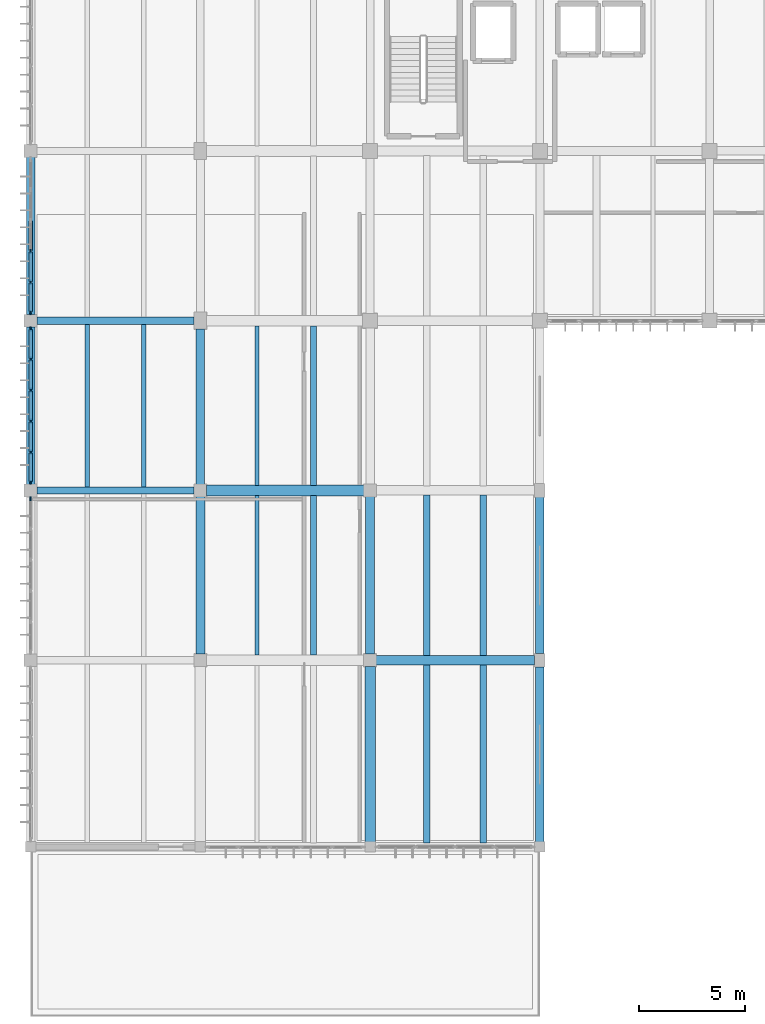
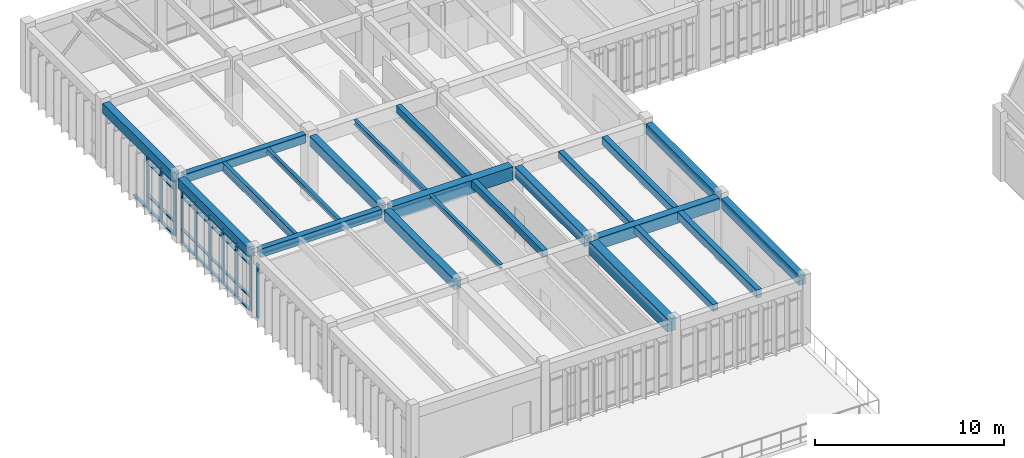
# One storey, part 6 of 72: 39 members, 22 beams, 3 elements without a shape of their own.
"""IFC4 building model written with IfcOpenShell, lengths in metres."""

from ifc_helpers import new_model, si_unit, direction, frame, origin, origin_2d, place, context, subcontext, project, spatial, rectangle, i_section, extrude, material, material_profile, profile_set, type_object, element, aggregate, save


model = new_model("IFC4")

# Units and contexts
model_context = context("Model", 3, precision=1e-05, world=origin(), true_north=direction((0.0, 1.0)))
body_context = subcontext(model_context, "Body", "Model", "MODEL_VIEW")
ifc_project = project(units=[si_unit("LENGTHUNIT", "METRE"), si_unit("AREAUNIT", "SQUARE_METRE"), si_unit("VOLUMEUNIT", "CUBIC_METRE"), si_unit("PLANEANGLEUNIT", "RADIAN"), si_unit("MASSUNIT", "GRAM", prefix="KILO")], contexts=[model_context])

# Site, building, storey
site_placement = place(None, origin())
site = spatial("IfcSite", under=ifc_project, at=site_placement, CompositionType="ELEMENT")
building_placement = place(site_placement, origin())
building = spatial("IfcBuilding", under=site, at=building_placement, Name="Tlaxcora Railside Police Headquarters", CompositionType="ELEMENT")
storey_placement = place(building_placement, frame((0.0, 0.0, 13.5)))
storey = spatial("IfcBuildingStorey", under=building, at=storey_placement, Name="L03", CompositionType="ELEMENT", Elevation=13.5)

# Curtain wall, members
ifc_material_1 = material(Name="Thermally broken low-E insulated glazing", Category="glass")
curtain_wall_type_1 = type_object("IfcCurtainWallType", Name="Unitised Curtain Wall Assembly CW-23", PredefinedType="NOTDEFINED", material=ifc_material_1)
curtain_wall_1_placement = place(storey_placement, origin())
curtain_wall_1 = element("IfcCurtainWall", 1, at=curtain_wall_1_placement, inside=storey, type_object=curtain_wall_type_1, Name="V5 L03 curtain wall 84", PredefinedType="NOTDEFINED")
ifc_material_2 = material(Name="Anodised aluminium framing", Category="aluminium")
ifc_material_profile_1 = material_profile(ifc_material_2, rectangle(XDim=0.080078125, YDim=0.219970703125, at=origin_2d()), Name="AL80X220")
ifc_profile_set_1 = profile_set([ifc_material_profile_1], Name="Anodised aluminium framing")
member_type_1 = type_object("IfcMemberType", Name="Curtain Wall Mullion CW-31", PredefinedType="MULLION", material=ifc_profile_set_1)
member_1_placement = place(storey_placement, frame((5.199951171875, 80.070068359375, 0.0), z_axis=(0.0, 0.0, 1.0), x_axis=(1.0, 0.0, 0.0)))
member_1 = element("IfcMember", 2, at=member_1_placement, type_object=member_type_1, Name="CW mullion 4", PredefinedType="MULLION", context=body_context, shape_type="SweptSolid", body=[
    extrude(rectangle(XDim=0.080078125, YDim=0.219970703125, at=origin_2d()), origin(), (0.0, 0.0, 1.0), 3.52001953125),
])
member_2_placement = place(storey_placement, frame((5.199951171875, 78.610107421875, 0.0), z_axis=(0.0, 0.0, 1.0), x_axis=(1.0, 0.0, 0.0)))
member_2 = element("IfcMember", 3, at=member_2_placement, type_object=member_type_1, Name="CW mullion 5", PredefinedType="MULLION", context=body_context, shape_type="SweptSolid", body=[
    extrude(rectangle(XDim=0.080078125, YDim=0.219970703125, at=origin_2d()), origin(), (0.0, 0.0, 1.0), 3.52001953125),
])
member_3_placement = place(storey_placement, frame((5.199951171875, 77.18994140625, 0.0), z_axis=(0.0, 0.0, 1.0), x_axis=(1.0, 0.0, 0.0)))
member_3 = element("IfcMember", 4, at=member_3_placement, type_object=member_type_1, Name="CW mullion 6", PredefinedType="MULLION", context=body_context, shape_type="SweptSolid", body=[
    extrude(rectangle(XDim=0.080078125, YDim=0.219970703125, at=origin_2d()), origin(), (0.0, 0.0, 1.0), 3.52001953125),
])

curtain_wall_type_2 = type_object("IfcCurtainWallType", Name="Unitised Curtain Wall Assembly CW-38", PredefinedType="NOTDEFINED", material=ifc_material_1)
curtain_wall_2_placement = place(storey_placement, origin())
curtain_wall_2 = element("IfcCurtainWall", 5, at=curtain_wall_2_placement, inside=storey, type_object=curtain_wall_type_2, Name="V5 L03 curtain wall 85", PredefinedType="NOTDEFINED")
ifc_material_profile_2 = material_profile(ifc_material_2, rectangle(XDim=0.074951171875, YDim=0.205078125, at=origin_2d()), Name="AL75X205")
ifc_profile_set_2 = profile_set([ifc_material_profile_2], Name="Anodised aluminium framing")
member_type_2 = type_object("IfcMemberType", Name="Curtain Wall Mullion CW-32", PredefinedType="MULLION", material=ifc_profile_set_2)
member_4_placement = place(storey_placement, frame((5.199951171875, 76.41259765625, 0.0), z_axis=(0.0, 0.0, 1.0), x_axis=(1.0, 0.0, 0.0)))
member_4 = element("IfcMember", 6, at=member_4_placement, type_object=member_type_2, Name="CW mullion 1", PredefinedType="MULLION", context=body_context, shape_type="SweptSolid", body=[
    extrude(rectangle(XDim=0.074951171875, YDim=0.205078125, at=origin_2d()), origin(), (0.0, 0.0, 1.0), 3.52001953125),
])
member_5_placement = place(storey_placement, frame((5.199951171875, 74.989990234375, 0.0), z_axis=(0.0, 0.0, 1.0), x_axis=(1.0, 0.0, 0.0)))
member_5 = element("IfcMember", 7, at=member_5_placement, type_object=member_type_2, Name="CW mullion 2", PredefinedType="MULLION", context=body_context, shape_type="SweptSolid", body=[
    extrude(rectangle(XDim=0.074951171875, YDim=0.205078125, at=origin_2d()), origin(), (0.0, 0.0, 1.0), 3.52001953125),
])
member_6_placement = place(storey_placement, frame((5.199951171875, 73.530029296875, 0.0), z_axis=(0.0, 0.0, 1.0), x_axis=(1.0, 0.0, 0.0)))
member_6 = element("IfcMember", 8, at=member_6_placement, type_object=member_type_2, Name="CW mullion 3", PredefinedType="MULLION", context=body_context, shape_type="SweptSolid", body=[
    extrude(rectangle(XDim=0.074951171875, YDim=0.205078125, at=origin_2d()), origin(), (0.0, 0.0, 1.0), 3.52001953125),
])
member_7_placement = place(storey_placement, frame((5.199951171875, 72.070068359375, 0.0), z_axis=(0.0, 0.0, 1.0), x_axis=(1.0, 0.0, 0.0)))
member_7 = element("IfcMember", 9, at=member_7_placement, type_object=member_type_2, Name="CW mullion 4", PredefinedType="MULLION", context=body_context, shape_type="SweptSolid", body=[
    extrude(rectangle(XDim=0.074951171875, YDim=0.205078125, at=origin_2d()), origin(), (0.0, 0.0, 1.0), 3.52001953125),
])
member_8_placement = place(storey_placement, frame((5.199951171875, 70.610107421875, 0.0), z_axis=(0.0, 0.0, 1.0), x_axis=(1.0, 0.0, 0.0)))
member_8 = element("IfcMember", 10, at=member_8_placement, type_object=member_type_2, Name="CW mullion 5", PredefinedType="MULLION", context=body_context, shape_type="SweptSolid", body=[
    extrude(rectangle(XDim=0.074951171875, YDim=0.205078125, at=origin_2d()), origin(), (0.0, 0.0, 1.0), 3.52001953125),
])
member_9_placement = place(storey_placement, frame((5.199951171875, 69.1875, 0.0), z_axis=(0.0, 0.0, 1.0), x_axis=(1.0, 0.0, 0.0)))
member_9 = element("IfcMember", 11, at=member_9_placement, type_object=member_type_2, Name="CW mullion 6", PredefinedType="MULLION", context=body_context, shape_type="SweptSolid", body=[
    extrude(rectangle(XDim=0.074951171875, YDim=0.205078125, at=origin_2d()), origin(), (0.0, 0.0, 1.0), 3.52001953125),
])

# Curtain wall, member
curtain_wall_type_3 = type_object("IfcCurtainWallType", Name="Unitised Curtain Wall Assembly CW-15", PredefinedType="NOTDEFINED", material=ifc_material_1)
curtain_wall_3_placement = place(storey_placement, origin())
curtain_wall_3 = element("IfcCurtainWall", 12, at=curtain_wall_3_placement, inside=storey, type_object=curtain_wall_type_3, Name="V5 L03 curtain wall 86", PredefinedType="NOTDEFINED")
ifc_material_profile_3 = material_profile(ifc_material_2, rectangle(XDim=0.074951171875, YDim=0.199951171875, at=origin_2d()), Name="AL75X200")
ifc_profile_set_3 = profile_set([ifc_material_profile_3], Name="Anodised aluminium framing")
member_type_3 = type_object("IfcMemberType", Name="Curtain Wall Mullion CW-58", PredefinedType="MULLION", material=ifc_profile_set_3)
member_10_placement = place(storey_placement, frame((5.199951171875, 68.41259765625, 0.0), z_axis=(0.0, 0.0, 1.0), x_axis=(1.0, 0.0, 0.0)))
member_10 = element("IfcMember", 13, at=member_10_placement, type_object=member_type_3, Name="CW mullion 1", PredefinedType="MULLION", context=body_context, shape_type="SweptSolid", body=[
    extrude(rectangle(XDim=0.074951171875, YDim=0.199951171875, at=origin_2d()), origin(), (0.0, 0.0, 1.0), 3.52001953125),
])
aggregate(curtain_wall_3, [member_10])

# Member
ifc_material_profile_4 = material_profile(ifc_material_2, rectangle(XDim=0.155029296875, YDim=0.074951171875, at=origin_2d()), Name="AL75X155")
ifc_profile_set_4 = profile_set([ifc_material_profile_4], Name="Anodised aluminium framing")
member_type_4 = type_object("IfcMemberType", Name="Curtain Wall Transom CW-30", PredefinedType="USERDEFINED", material=ifc_profile_set_4)
member_11_placement = place(storey_placement, frame((5.199951171875, 76.375, 0.03759765625), z_axis=(0.0, -1.0, 0.0), x_axis=(1.0, 0.0, 0.0)))
member_11 = element("IfcMember", 14, at=member_11_placement, type_object=member_type_4, Name="CW transom 1.1", ObjectType="TRANSOM", PredefinedType="USERDEFINED", context=body_context, shape_type="SweptSolid", body=[
    extrude(rectangle(XDim=0.155029296875, YDim=0.074951171875, at=origin_2d()), origin(), (0.0, 0.0, 1.0), 1.347412109375),
])

member_12_placement = place(storey_placement, frame((5.199951171875, 76.375, 0.89990234375), z_axis=(0.0, -1.0, 0.0), x_axis=(1.0, 0.0, 0.0)))
member_12 = element("IfcMember", 15, at=member_12_placement, type_object=member_type_4, Name="CW transom 1.2", ObjectType="TRANSOM", PredefinedType="USERDEFINED", context=body_context, shape_type="SweptSolid", body=[
    extrude(rectangle(XDim=0.155029296875, YDim=0.074951171875, at=origin_2d()), origin(), (0.0, 0.0, 1.0), 1.347412109375),
])

member_13_placement = place(storey_placement, frame((5.199951171875, 76.375, 2.989990234375), z_axis=(0.0, -1.0, 0.0), x_axis=(1.0, 0.0, 0.0)))
member_13 = element("IfcMember", 16, at=member_13_placement, type_object=member_type_4, Name="CW transom 1.3", ObjectType="TRANSOM", PredefinedType="USERDEFINED", context=body_context, shape_type="SweptSolid", body=[
    extrude(rectangle(XDim=0.155029296875, YDim=0.074951171875, at=origin_2d()), origin(), (0.0, 0.0, 1.0), 1.347412109375),
])

member_14_placement = place(storey_placement, frame((5.199951171875, 76.375, 3.482421875), z_axis=(0.0, -1.0, 0.0), x_axis=(1.0, 0.0, 0.0)))
member_14 = element("IfcMember", 17, at=member_14_placement, type_object=member_type_4, Name="CW transom 1.4", ObjectType="TRANSOM", PredefinedType="USERDEFINED", context=body_context, shape_type="SweptSolid", body=[
    extrude(rectangle(XDim=0.155029296875, YDim=0.074951171875, at=origin_2d()), origin(), (0.0, 0.0, 1.0), 1.347412109375),
])

member_15_placement = place(storey_placement, frame((5.199951171875, 74.952392578125, 0.03759765625), z_axis=(0.0, -1.0, 0.0), x_axis=(1.0, 0.0, 0.0)))
member_15 = element("IfcMember", 18, at=member_15_placement, type_object=member_type_4, Name="CW transom 2.1", ObjectType="TRANSOM", PredefinedType="USERDEFINED", context=body_context, shape_type="SweptSolid", body=[
    extrude(rectangle(XDim=0.155029296875, YDim=0.074951171875, at=origin_2d()), origin(), (0.0, 0.0, 1.0), 1.385009765625),
])

member_16_placement = place(storey_placement, frame((5.199951171875, 74.952392578125, 0.89990234375), z_axis=(0.0, -1.0, 0.0), x_axis=(1.0, 0.0, 0.0)))
member_16 = element("IfcMember", 19, at=member_16_placement, type_object=member_type_4, Name="CW transom 2.2", ObjectType="TRANSOM", PredefinedType="USERDEFINED", context=body_context, shape_type="SweptSolid", body=[
    extrude(rectangle(XDim=0.155029296875, YDim=0.074951171875, at=origin_2d()), origin(), (0.0, 0.0, 1.0), 1.385009765625),
])

member_17_placement = place(storey_placement, frame((5.199951171875, 74.952392578125, 2.989990234375), z_axis=(0.0, -1.0, 0.0), x_axis=(1.0, 0.0, 0.0)))
member_17 = element("IfcMember", 20, at=member_17_placement, type_object=member_type_4, Name="CW transom 2.3", ObjectType="TRANSOM", PredefinedType="USERDEFINED", context=body_context, shape_type="SweptSolid", body=[
    extrude(rectangle(XDim=0.155029296875, YDim=0.074951171875, at=origin_2d()), origin(), (0.0, 0.0, 1.0), 1.385009765625),
])

member_18_placement = place(storey_placement, frame((5.199951171875, 74.952392578125, 3.482421875), z_axis=(0.0, -1.0, 0.0), x_axis=(1.0, 0.0, 0.0)))
member_18 = element("IfcMember", 21, at=member_18_placement, type_object=member_type_4, Name="CW transom 2.4", ObjectType="TRANSOM", PredefinedType="USERDEFINED", context=body_context, shape_type="SweptSolid", body=[
    extrude(rectangle(XDim=0.155029296875, YDim=0.074951171875, at=origin_2d()), origin(), (0.0, 0.0, 1.0), 1.385009765625),
])

member_19_placement = place(storey_placement, frame((5.199951171875, 73.492431640625, 0.03759765625), z_axis=(0.0, -1.0, 0.0), x_axis=(1.0, 0.0, 0.0)))
member_19 = element("IfcMember", 22, at=member_19_placement, type_object=member_type_4, Name="CW transom 3.1", ObjectType="TRANSOM", PredefinedType="USERDEFINED", context=body_context, shape_type="SweptSolid", body=[
    extrude(rectangle(XDim=0.155029296875, YDim=0.074951171875, at=origin_2d()), origin(), (0.0, 0.0, 1.0), 1.385009765625),
])

member_20_placement = place(storey_placement, frame((5.199951171875, 73.492431640625, 0.89990234375), z_axis=(0.0, -1.0, 0.0), x_axis=(1.0, 0.0, 0.0)))
member_20 = element("IfcMember", 23, at=member_20_placement, type_object=member_type_4, Name="CW transom 3.2", ObjectType="TRANSOM", PredefinedType="USERDEFINED", context=body_context, shape_type="SweptSolid", body=[
    extrude(rectangle(XDim=0.155029296875, YDim=0.074951171875, at=origin_2d()), origin(), (0.0, 0.0, 1.0), 1.385009765625),
])

member_21_placement = place(storey_placement, frame((5.199951171875, 73.492431640625, 2.989990234375), z_axis=(0.0, -1.0, 0.0), x_axis=(1.0, 0.0, 0.0)))
member_21 = element("IfcMember", 24, at=member_21_placement, type_object=member_type_4, Name="CW transom 3.3", ObjectType="TRANSOM", PredefinedType="USERDEFINED", context=body_context, shape_type="SweptSolid", body=[
    extrude(rectangle(XDim=0.155029296875, YDim=0.074951171875, at=origin_2d()), origin(), (0.0, 0.0, 1.0), 1.385009765625),
])

member_22_placement = place(storey_placement, frame((5.199951171875, 73.492431640625, 3.482421875), z_axis=(0.0, -1.0, 0.0), x_axis=(1.0, 0.0, 0.0)))
member_22 = element("IfcMember", 25, at=member_22_placement, type_object=member_type_4, Name="CW transom 3.4", ObjectType="TRANSOM", PredefinedType="USERDEFINED", context=body_context, shape_type="SweptSolid", body=[
    extrude(rectangle(XDim=0.155029296875, YDim=0.074951171875, at=origin_2d()), origin(), (0.0, 0.0, 1.0), 1.385009765625),
])

member_23_placement = place(storey_placement, frame((5.199951171875, 72.032470703125, 0.03759765625), z_axis=(0.0, -1.0, 0.0), x_axis=(1.0, 0.0, 0.0)))
member_23 = element("IfcMember", 26, at=member_23_placement, type_object=member_type_4, Name="CW transom 4.1", ObjectType="TRANSOM", PredefinedType="USERDEFINED", context=body_context, shape_type="SweptSolid", body=[
    extrude(rectangle(XDim=0.155029296875, YDim=0.074951171875, at=origin_2d()), origin(), (0.0, 0.0, 1.0), 1.385009765625),
])

member_24_placement = place(storey_placement, frame((5.199951171875, 72.032470703125, 0.89990234375), z_axis=(0.0, -1.0, 0.0), x_axis=(1.0, 0.0, 0.0)))
member_24 = element("IfcMember", 27, at=member_24_placement, type_object=member_type_4, Name="CW transom 4.2", ObjectType="TRANSOM", PredefinedType="USERDEFINED", context=body_context, shape_type="SweptSolid", body=[
    extrude(rectangle(XDim=0.155029296875, YDim=0.074951171875, at=origin_2d()), origin(), (0.0, 0.0, 1.0), 1.385009765625),
])

member_25_placement = place(storey_placement, frame((5.199951171875, 72.032470703125, 2.989990234375), z_axis=(0.0, -1.0, 0.0), x_axis=(1.0, 0.0, 0.0)))
member_25 = element("IfcMember", 28, at=member_25_placement, type_object=member_type_4, Name="CW transom 4.3", ObjectType="TRANSOM", PredefinedType="USERDEFINED", context=body_context, shape_type="SweptSolid", body=[
    extrude(rectangle(XDim=0.155029296875, YDim=0.074951171875, at=origin_2d()), origin(), (0.0, 0.0, 1.0), 1.385009765625),
])

member_26_placement = place(storey_placement, frame((5.199951171875, 72.032470703125, 3.482421875), z_axis=(0.0, -1.0, 0.0), x_axis=(1.0, 0.0, 0.0)))
member_26 = element("IfcMember", 29, at=member_26_placement, type_object=member_type_4, Name="CW transom 4.4", ObjectType="TRANSOM", PredefinedType="USERDEFINED", context=body_context, shape_type="SweptSolid", body=[
    extrude(rectangle(XDim=0.155029296875, YDim=0.074951171875, at=origin_2d()), origin(), (0.0, 0.0, 1.0), 1.385009765625),
])

member_27_placement = place(storey_placement, frame((5.199951171875, 70.572509765625, 0.03759765625), z_axis=(0.0, -1.0, 0.0), x_axis=(1.0, 0.0, 0.0)))
member_27 = element("IfcMember", 30, at=member_27_placement, type_object=member_type_4, Name="CW transom 5.1", ObjectType="TRANSOM", PredefinedType="USERDEFINED", context=body_context, shape_type="SweptSolid", body=[
    extrude(rectangle(XDim=0.155029296875, YDim=0.074951171875, at=origin_2d()), origin(), (0.0, 0.0, 1.0), 1.347412109375),
])

member_28_placement = place(storey_placement, frame((5.199951171875, 70.572509765625, 0.89990234375), z_axis=(0.0, -1.0, 0.0), x_axis=(1.0, 0.0, 0.0)))
member_28 = element("IfcMember", 31, at=member_28_placement, type_object=member_type_4, Name="CW transom 5.2", ObjectType="TRANSOM", PredefinedType="USERDEFINED", context=body_context, shape_type="SweptSolid", body=[
    extrude(rectangle(XDim=0.155029296875, YDim=0.074951171875, at=origin_2d()), origin(), (0.0, 0.0, 1.0), 1.347412109375),
])

member_29_placement = place(storey_placement, frame((5.199951171875, 70.572509765625, 2.989990234375), z_axis=(0.0, -1.0, 0.0), x_axis=(1.0, 0.0, 0.0)))
member_29 = element("IfcMember", 32, at=member_29_placement, type_object=member_type_4, Name="CW transom 5.3", ObjectType="TRANSOM", PredefinedType="USERDEFINED", context=body_context, shape_type="SweptSolid", body=[
    extrude(rectangle(XDim=0.155029296875, YDim=0.074951171875, at=origin_2d()), origin(), (0.0, 0.0, 1.0), 1.347412109375),
])

member_30_placement = place(storey_placement, frame((5.199951171875, 70.572509765625, 3.482421875), z_axis=(0.0, -1.0, 0.0), x_axis=(1.0, 0.0, 0.0)))
member_30 = element("IfcMember", 33, at=member_30_placement, type_object=member_type_4, Name="CW transom 5.4", ObjectType="TRANSOM", PredefinedType="USERDEFINED", context=body_context, shape_type="SweptSolid", body=[
    extrude(rectangle(XDim=0.155029296875, YDim=0.074951171875, at=origin_2d()), origin(), (0.0, 0.0, 1.0), 1.347412109375),
])

aggregate(curtain_wall_2, [member_4, member_5, member_6, member_7, member_8, member_9, member_11, member_12, member_13, member_14, member_15, member_16, member_17, member_18, member_19, member_20, member_21, member_22, member_23, member_24, member_25, member_26, member_27, member_28, member_29, member_30])

ifc_material_profile_5 = material_profile(ifc_material_2, rectangle(XDim=0.1650390625, YDim=0.080078125, at=origin_2d()), Name="AL80X165")
ifc_profile_set_5 = profile_set([ifc_material_profile_5], Name="Anodised aluminium framing")
member_type_5 = type_object("IfcMemberType", Name="Curtain Wall Transom CW-62", PredefinedType="USERDEFINED", material=ifc_profile_set_5)
member_31_placement = place(storey_placement, frame((5.199951171875, 81.489990234375, 0.0400390625), z_axis=(0.0, -1.0, 0.0), x_axis=(1.0, 0.0, 0.0)))
member_31 = element("IfcMember", 34, at=member_31_placement, type_object=member_type_5, Name="CW transom 3.1", ObjectType="TRANSOM", PredefinedType="USERDEFINED", context=body_context, shape_type="SweptSolid", body=[
    extrude(rectangle(XDim=0.1650390625, YDim=0.080078125, at=origin_2d()), origin(), (0.0, 0.0, 1.0), 1.3798828125),
])

member_32_placement = place(storey_placement, frame((5.199951171875, 80.030029296875, 0.0400390625), z_axis=(0.0, -1.0, 0.0), x_axis=(1.0, 0.0, 0.0)))
member_32 = element("IfcMember", 35, at=member_32_placement, type_object=member_type_5, Name="CW transom 4.1", ObjectType="TRANSOM", PredefinedType="USERDEFINED", context=body_context, shape_type="SweptSolid", body=[
    extrude(rectangle(XDim=0.1650390625, YDim=0.080078125, at=origin_2d()), origin(), (0.0, 0.0, 1.0), 1.380126953125),
])

member_33_placement = place(storey_placement, frame((5.199951171875, 80.030029296875, 0.89990234375), z_axis=(0.0, -1.0, 0.0), x_axis=(1.0, 0.0, 0.0)))
member_33 = element("IfcMember", 36, at=member_33_placement, type_object=member_type_5, Name="CW transom 4.2", ObjectType="TRANSOM", PredefinedType="USERDEFINED", context=body_context, shape_type="SweptSolid", body=[
    extrude(rectangle(XDim=0.1650390625, YDim=0.080078125, at=origin_2d()), origin(), (0.0, 0.0, 1.0), 1.380126953125),
])

member_34_placement = place(storey_placement, frame((5.199951171875, 80.030029296875, 2.989990234375), z_axis=(0.0, -1.0, 0.0), x_axis=(1.0, 0.0, 0.0)))
member_34 = element("IfcMember", 37, at=member_34_placement, type_object=member_type_5, Name="CW transom 4.3", ObjectType="TRANSOM", PredefinedType="USERDEFINED", context=body_context, shape_type="SweptSolid", body=[
    extrude(rectangle(XDim=0.1650390625, YDim=0.080078125, at=origin_2d()), origin(), (0.0, 0.0, 1.0), 1.380126953125),
])

member_35_placement = place(storey_placement, frame((5.199951171875, 80.030029296875, 3.47998046875), z_axis=(0.0, -1.0, 0.0), x_axis=(1.0, 0.0, 0.0)))
member_35 = element("IfcMember", 38, at=member_35_placement, type_object=member_type_5, Name="CW transom 4.4", ObjectType="TRANSOM", PredefinedType="USERDEFINED", context=body_context, shape_type="SweptSolid", body=[
    extrude(rectangle(XDim=0.1650390625, YDim=0.080078125, at=origin_2d()), origin(), (0.0, 0.0, 1.0), 1.380126953125),
])

member_36_placement = place(storey_placement, frame((5.199951171875, 78.570068359375, 0.0400390625), z_axis=(0.0, -1.0, 0.0), x_axis=(1.0, 0.0, 0.0)))
member_36 = element("IfcMember", 39, at=member_36_placement, type_object=member_type_5, Name="CW transom 5.1", ObjectType="TRANSOM", PredefinedType="USERDEFINED", context=body_context, shape_type="SweptSolid", body=[
    extrude(rectangle(XDim=0.1650390625, YDim=0.080078125, at=origin_2d()), origin(), (0.0, 0.0, 1.0), 1.340087890625),
])

member_37_placement = place(storey_placement, frame((5.199951171875, 78.570068359375, 0.89990234375), z_axis=(0.0, -1.0, 0.0), x_axis=(1.0, 0.0, 0.0)))
member_37 = element("IfcMember", 40, at=member_37_placement, type_object=member_type_5, Name="CW transom 5.2", ObjectType="TRANSOM", PredefinedType="USERDEFINED", context=body_context, shape_type="SweptSolid", body=[
    extrude(rectangle(XDim=0.1650390625, YDim=0.080078125, at=origin_2d()), origin(), (0.0, 0.0, 1.0), 1.340087890625),
])

member_38_placement = place(storey_placement, frame((5.199951171875, 78.570068359375, 2.989990234375), z_axis=(0.0, -1.0, 0.0), x_axis=(1.0, 0.0, 0.0)))
member_38 = element("IfcMember", 41, at=member_38_placement, type_object=member_type_5, Name="CW transom 5.3", ObjectType="TRANSOM", PredefinedType="USERDEFINED", context=body_context, shape_type="SweptSolid", body=[
    extrude(rectangle(XDim=0.1650390625, YDim=0.080078125, at=origin_2d()), origin(), (0.0, 0.0, 1.0), 1.340087890625),
])

member_39_placement = place(storey_placement, frame((5.199951171875, 78.570068359375, 3.47998046875), z_axis=(0.0, -1.0, 0.0), x_axis=(1.0, 0.0, 0.0)))
member_39 = element("IfcMember", 42, at=member_39_placement, type_object=member_type_5, Name="CW transom 5.4", ObjectType="TRANSOM", PredefinedType="USERDEFINED", context=body_context, shape_type="SweptSolid", body=[
    extrude(rectangle(XDim=0.1650390625, YDim=0.080078125, at=origin_2d()), origin(), (0.0, 0.0, 1.0), 1.340087890625),
])

aggregate(curtain_wall_1, [member_1, member_2, member_3, member_31, member_32, member_33, member_34, member_35, member_36, member_37, member_38, member_39])

# Beams
ifc_material_3 = material(Name="Concrete C40/50", Category="concrete")
ifc_material_profile_6 = material_profile(ifc_material_3, rectangle(XDim=0.39990234375, YDim=0.64990234375, at=origin_2d()), Name="RC400X650")
ifc_profile_set_6 = profile_set([ifc_material_profile_6], Name="Concrete C40/50")
beam_type_1 = type_object("IfcBeamType", Name="Perimeter Spandrel Beam BM-46", PredefinedType="SPANDREL", material=ifc_profile_set_6)
for number, where, z_axis, x_axis, name in (
    (43, (5.199951171875, 69.090087890625, 3.864990234375), (0.0, 1.0, 0.0), (-1.0, 0.0, 0.0), "V5 L03 Y-girder X=5.2"),
    (44, (5.199951171875, 77.090087890625, 3.864990234375), (0.0, 1.0, 0.0), (-1.0, 0.0, 0.0), "V5 L03 Y-girder X=5.2"),
):
    element("IfcBeam", number, at=place(storey_placement, frame(where, z_axis=z_axis, x_axis=x_axis)), inside=storey, type_object=beam_type_1, Name=name, PredefinedType="SPANDREL", context=body_context, shape_type="SweptSolid", body=[
        extrude(rectangle(XDim=0.39990234375, YDim=0.64990234375, at=origin_2d()), origin(), (0.0, 0.0, 1.0), 7.419921875),
    ])
beam_1_placement = place(storey_placement, frame((29.199951171875, 52.239990234375, 3.864990234375), z_axis=(0.0, 1.0, 0.0), x_axis=(-1.0, 0.0, 0.0)))
element("IfcBeam", 45, at=beam_1_placement, inside=storey, type_object=beam_type_1, Name="V5 L03 Y-girder X=29.2", PredefinedType="SPANDREL", context=body_context, shape_type="SweptSolid", body=[
    extrude(rectangle(XDim=0.39990234375, YDim=0.64990234375, at=origin_2d()), origin(), (0.0, 0.0, 1.0), 8.2451171875),
])
beam_2_placement = place(storey_placement, frame((29.199951171875, 61.114990234375, 3.864990234375), z_axis=(0.0, 1.0, 0.0), x_axis=(-1.0, 0.0, 0.0)))
element("IfcBeam", 46, at=beam_2_placement, inside=storey, type_object=beam_type_1, Name="V5 L03 Y-girder X=29.2", PredefinedType="SPANDREL", context=body_context, shape_type="SweptSolid", body=[
    extrude(rectangle(XDim=0.39990234375, YDim=0.64990234375, at=origin_2d()), origin(), (0.0, 0.0, 1.0), 7.3701171875),
])
ifc_material_profile_7 = material_profile(ifc_material_3, rectangle(XDim=0.419921875, YDim=0.699951171875, at=origin_2d()), Name="RC420X700")
ifc_profile_set_7 = profile_set([ifc_material_profile_7], Name="Concrete C40/50")
beam_type_2 = type_object("IfcBeamType", Name="Primary Frame Girder BM-35", PredefinedType="BEAM", material=ifc_profile_set_7)
for number, where, z_axis, x_axis, name in (
    (47, (13.199951171875, 61.090087890625, 3.840087890625), (0.0, 1.0, 0.0), (-1.0, 0.0, 0.0), "V5 L03 Y-girder X=13.2"),
    (48, (21.199951171875, 61.090087890625, 3.840087890625), (0.0, 1.0, 0.0), (-1.0, 0.0, 0.0), "V5 L03 Y-girder X=21.2"),
):
    element("IfcBeam", number, at=place(storey_placement, frame(where, z_axis=z_axis, x_axis=x_axis)), inside=storey, type_object=beam_type_2, Name=name, PredefinedType="BEAM", context=body_context, shape_type="SweptSolid", body=[
        extrude(rectangle(XDim=0.419921875, YDim=0.699951171875, at=origin_2d()), origin(), (0.0, 0.0, 1.0), 7.419921875),
    ])
ifc_material_profile_8 = material_profile(ifc_material_3, rectangle(XDim=0.35009765625, YDim=0.550048828125, at=origin_2d()), Name="RC350X550")
ifc_profile_set_8 = profile_set([ifc_material_profile_8], Name="Concrete C40/50")
beam_type_3 = type_object("IfcBeamType", Name="Primary Frame Girder BM-39", PredefinedType="BEAM", material=ifc_profile_set_8)
for number, where, z_axis, x_axis, name in (
    (49, (5.489990234375, 68.800048828125, 3.9150390625), (1.0, 0.0, 0.0), (0.0, 1.0, 0.0), "V5 L03 X-girder Y=68.8"),
    (50, (5.489990234375, 76.800048828125, 3.9150390625), (1.0, 0.0, 0.0), (0.0, 1.0, 0.0), "V5 L03 X-girder Y=76.8"),
):
    element("IfcBeam", number, at=place(storey_placement, frame(where, z_axis=z_axis, x_axis=x_axis)), inside=storey, type_object=beam_type_3, Name=name, PredefinedType="BEAM", context=body_context, shape_type="SweptSolid", body=[
        extrude(rectangle(XDim=0.35009765625, YDim=0.550048828125, at=origin_2d()), origin(), (0.0, 0.0, 1.0), 7.419921875),
    ])
ifc_material_profile_9 = material_profile(ifc_material_3, rectangle(XDim=0.39990234375, YDim=0.64990234375, at=origin_2d()), Name="RC400X650")
ifc_profile_set_9 = profile_set([ifc_material_profile_9], Name="Concrete C40/50")
beam_type_4 = type_object("IfcBeamType", Name="Primary Frame Girder BM-41", PredefinedType="BEAM", material=ifc_profile_set_9)
beam_3_placement = place(storey_placement, frame((13.199951171875, 69.090087890625, 3.864990234375), z_axis=(0.0, 1.0, 0.0), x_axis=(-1.0, 0.0, 0.0)))
element("IfcBeam", 51, at=beam_3_placement, inside=storey, type_object=beam_type_4, Name="V5 L03 Y-girder X=13.2", PredefinedType="BEAM", context=body_context, shape_type="SweptSolid", body=[
    extrude(rectangle(XDim=0.39990234375, YDim=0.64990234375, at=origin_2d()), origin(), (0.0, 0.0, 1.0), 7.31982421875),
])
ifc_material_profile_10 = material_profile(ifc_material_3, rectangle(XDim=0.5, YDim=0.85009765625, at=origin_2d()), Name="RC500X850")
ifc_profile_set_10 = profile_set([ifc_material_profile_10], Name="Concrete C40/50")
beam_type_5 = type_object("IfcBeamType", Name="Primary Frame Girder BM-64", PredefinedType="BEAM", material=ifc_profile_set_10)
beam_4_placement = place(storey_placement, frame((13.489990234375, 68.800048828125, 3.764892578125), z_axis=(1.0, 0.0, 0.0), x_axis=(0.0, 1.0, 0.0)))
element("IfcBeam", 52, at=beam_4_placement, inside=storey, type_object=beam_type_5, Name="V5 L03 X-girder Y=68.8", PredefinedType="BEAM", context=body_context, shape_type="SweptSolid", body=[
    extrude(rectangle(XDim=0.5, YDim=0.85009765625, at=origin_2d()), origin(), (0.0, 0.0, 1.0), 7.419921875),
])
beam_5_placement = place(storey_placement, frame((21.199951171875, 52.239990234375, 3.764892578125), z_axis=(0.0, 1.0, 0.0), x_axis=(-1.0, 0.0, 0.0)))
element("IfcBeam", 53, at=beam_5_placement, inside=storey, type_object=beam_type_5, Name="V5 L03 Y-girder X=21.2", PredefinedType="BEAM", context=body_context, shape_type="SweptSolid", body=[
    extrude(rectangle(XDim=0.5, YDim=0.85009765625, at=origin_2d()), origin(), (0.0, 0.0, 1.0), 8.27001953125),
])
ifc_material_profile_11 = material_profile(ifc_material_3, rectangle(XDim=0.449951171875, YDim=0.75, at=origin_2d()), Name="RC450X750")
ifc_profile_set_11 = profile_set([ifc_material_profile_11], Name="Concrete C40/50")
beam_type_6 = type_object("IfcBeamType", Name="Primary Frame Girder BM-73", PredefinedType="BEAM", material=ifc_profile_set_11)
beam_6_placement = place(storey_placement, frame((21.489990234375, 60.800048828125, 3.81494140625), z_axis=(1.0, 0.0, 0.0), x_axis=(0.0, 1.0, 0.0)))
element("IfcBeam", 54, at=beam_6_placement, inside=storey, type_object=beam_type_6, Name="V5 L03 X-girder Y=60.8", PredefinedType="BEAM", context=body_context, shape_type="SweptSolid", body=[
    extrude(rectangle(XDim=0.449951171875, YDim=0.75, at=origin_2d()), origin(), (0.0, 0.0, 1.0), 7.469970703125),
])
ifc_material_4 = material(Name="Concrete C35/45", Category="concrete")
ifc_material_profile_12 = material_profile(ifc_material_4, rectangle(XDim=0.300048828125, YDim=0.449951171875, at=origin_2d()), Name="RC300X450")
ifc_profile_set_12 = profile_set([ifc_material_profile_12], Name="Concrete C35/45")
beam_type_7 = type_object("IfcBeamType", Name="Secondary Floor Joist BM-27", PredefinedType="JOIST", material=ifc_profile_set_12)
beam_7_placement = place(storey_placement, frame((23.86669921875, 52.19189453125, 3.965087890625), z_axis=(0.0, 1.0, 0.0), x_axis=(-1.0, 0.0, 0.0)))
element("IfcBeam", 55, at=beam_7_placement, inside=storey, type_object=beam_type_7, Name="V5 L03 floor joist X=23.87", PredefinedType="JOIST", context=body_context, shape_type="SweptSolid", body=[
    extrude(rectangle(XDim=0.300048828125, YDim=0.449951171875, at=origin_2d()), origin(), (0.0, 0.0, 1.0), 8.39111328125),
])
beam_8_placement = place(storey_placement, frame((18.533203125, 61.0419921875, 3.965087890625), z_axis=(0.0, 1.0, 0.0), x_axis=(-1.0, 0.0, 0.0)))
element("IfcBeam", 56, at=beam_8_placement, inside=storey, type_object=beam_type_7, Name="V5 L03 floor joist X=18.53", PredefinedType="JOIST", context=body_context, shape_type="SweptSolid", body=[
    extrude(rectangle(XDim=0.300048828125, YDim=0.449951171875, at=origin_2d()), origin(), (0.0, 0.0, 1.0), 7.51611328125),
])
beam_9_placement = place(storey_placement, frame((23.86669921875, 61.01708984375, 3.965087890625), z_axis=(0.0, 1.0, 0.0), x_axis=(-1.0, 0.0, 0.0)))
element("IfcBeam", 57, at=beam_9_placement, inside=storey, type_object=beam_type_7, Name="V5 L03 floor joist X=23.87", PredefinedType="JOIST", context=body_context, shape_type="SweptSolid", body=[
    extrude(rectangle(XDim=0.300048828125, YDim=0.449951171875, at=origin_2d()), origin(), (0.0, 0.0, 1.0), 7.56591796875),
])
beam_10_placement = place(storey_placement, frame((18.533203125, 69.0419921875, 3.965087890625), z_axis=(0.0, 1.0, 0.0), x_axis=(-1.0, 0.0, 0.0)))
element("IfcBeam", 58, at=beam_10_placement, inside=storey, type_object=beam_type_7, Name="V5 L03 floor joist X=18.53", PredefinedType="JOIST", context=body_context, shape_type="SweptSolid", body=[
    extrude(rectangle(XDim=0.300048828125, YDim=0.449951171875, at=origin_2d()), origin(), (0.0, 0.0, 1.0), 7.51611328125),
])
ifc_material_profile_13 = material_profile(ifc_material_4, rectangle(XDim=0.320068359375, YDim=0.5, at=origin_2d()), Name="RC320X500")
ifc_profile_set_13 = profile_set([ifc_material_profile_13], Name="Concrete C35/45")
beam_type_8 = type_object("IfcBeamType", Name="Secondary Floor Joist BM-88", PredefinedType="JOIST", material=ifc_profile_set_13)
beam_11_placement = place(storey_placement, frame((26.533203125, 52.19189453125, 3.93994140625), z_axis=(0.0, 1.0, 0.0), x_axis=(-1.0, 0.0, 0.0)))
element("IfcBeam", 59, at=beam_11_placement, inside=storey, type_object=beam_type_8, Name="V5 L03 floor joist X=26.53", PredefinedType="JOIST", context=body_context, shape_type="SweptSolid", body=[
    extrude(rectangle(XDim=0.320068359375, YDim=0.5, at=origin_2d()), origin(), (0.0, 0.0, 1.0), 8.39111328125),
])
beam_12_placement = place(storey_placement, frame((26.533203125, 61.01708984375, 3.93994140625), z_axis=(0.0, 1.0, 0.0), x_axis=(-1.0, 0.0, 0.0)))
element("IfcBeam", 60, at=beam_12_placement, inside=storey, type_object=beam_type_8, Name="V5 L03 floor joist X=26.53", PredefinedType="JOIST", context=body_context, shape_type="SweptSolid", body=[
    extrude(rectangle(XDim=0.320068359375, YDim=0.5, at=origin_2d()), origin(), (0.0, 0.0, 1.0), 7.56591796875),
])
ifc_material_5 = material(Name="Steel ASTM A992 Grade 50", Category="steel")
ifc_material_profile_14 = material_profile(ifc_material_5, i_section(OverallWidth=0.202880859375, OverallDepth=0.302978515625, WebThickness=0.007568359375, FlangeThickness=0.01318359375, at=origin_2d()), Name="W12X40")
ifc_profile_set_14 = profile_set([ifc_material_profile_14], Name="Steel ASTM A992 Grade 50")
beam_type_9 = type_object("IfcBeamType", Name="Secondary Floor Joist BM-96", PredefinedType="JOIST", material=ifc_profile_set_14)
beam_13_placement = place(storey_placement, frame((15.86669921875, 61.0419921875, 4.03857421875), z_axis=(0.0, 1.0, 0.0), x_axis=(-1.0, 0.0, 0.0)))
element("IfcBeam", 61, at=beam_13_placement, inside=storey, type_object=beam_type_9, Name="V5 L03 floor joist X=15.87", PredefinedType="JOIST", context=body_context, shape_type="SweptSolid", body=[
    extrude(i_section(OverallWidth=0.202880859375, OverallDepth=0.302978515625, WebThickness=0.007568359375, FlangeThickness=0.01318359375, at=origin_2d()), origin(), (0.0, 0.0, 1.0), 7.51611328125),
])
beam_14_placement = place(storey_placement, frame((10.533203125, 68.967041015625, 4.03857421875), z_axis=(0.0, 1.0, 0.0), x_axis=(-1.0, 0.0, 0.0)))
element("IfcBeam", 62, at=beam_14_placement, inside=storey, type_object=beam_type_9, Name="V5 L03 floor joist X=10.53", PredefinedType="JOIST", context=body_context, shape_type="SweptSolid", body=[
    extrude(i_section(OverallWidth=0.202880859375, OverallDepth=0.302978515625, WebThickness=0.007568359375, FlangeThickness=0.01318359375, at=origin_2d()), origin(), (0.0, 0.0, 1.0), 7.666015625),
])
beam_15_placement = place(storey_placement, frame((15.86669921875, 69.0419921875, 4.03857421875), z_axis=(0.0, 1.0, 0.0), x_axis=(-1.0, 0.0, 0.0)))
element("IfcBeam", 63, at=beam_15_placement, inside=storey, type_object=beam_type_9, Name="V5 L03 floor joist X=15.87", PredefinedType="JOIST", context=body_context, shape_type="SweptSolid", body=[
    extrude(i_section(OverallWidth=0.202880859375, OverallDepth=0.302978515625, WebThickness=0.007568359375, FlangeThickness=0.01318359375, at=origin_2d()), origin(), (0.0, 0.0, 1.0), 7.51611328125),
])
ifc_material_profile_15 = material_profile(ifc_material_5, i_section(OverallWidth=0.214111328125, OverallDepth=0.549072265625, WebThickness=0.0146484375, FlangeThickness=0.023681640625, at=origin_2d()), Name="W21X93")
ifc_profile_set_15 = profile_set([ifc_material_profile_15], Name="Steel ASTM A992 Grade 50")
beam_type_10 = type_object("IfcBeamType", Name="Secondary Floor Joist BM-97", PredefinedType="JOIST", material=ifc_profile_set_15)
beam_16_placement = place(storey_placement, frame((7.86669921875, 68.967041015625, 3.91552734375), z_axis=(0.0, 1.0, 0.0), x_axis=(-1.0, 0.0, 0.0)))
element("IfcBeam", 64, at=beam_16_placement, inside=storey, type_object=beam_type_10, Name="V5 L03 floor joist X=7.87", PredefinedType="JOIST", context=body_context, shape_type="SweptSolid", body=[
    extrude(i_section(OverallWidth=0.214111328125, OverallDepth=0.549072265625, WebThickness=0.0146484375, FlangeThickness=0.023681640625, at=origin_2d()), origin(), (0.0, 0.0, 1.0), 7.666015625),
])

save(model, "model.ifc")
